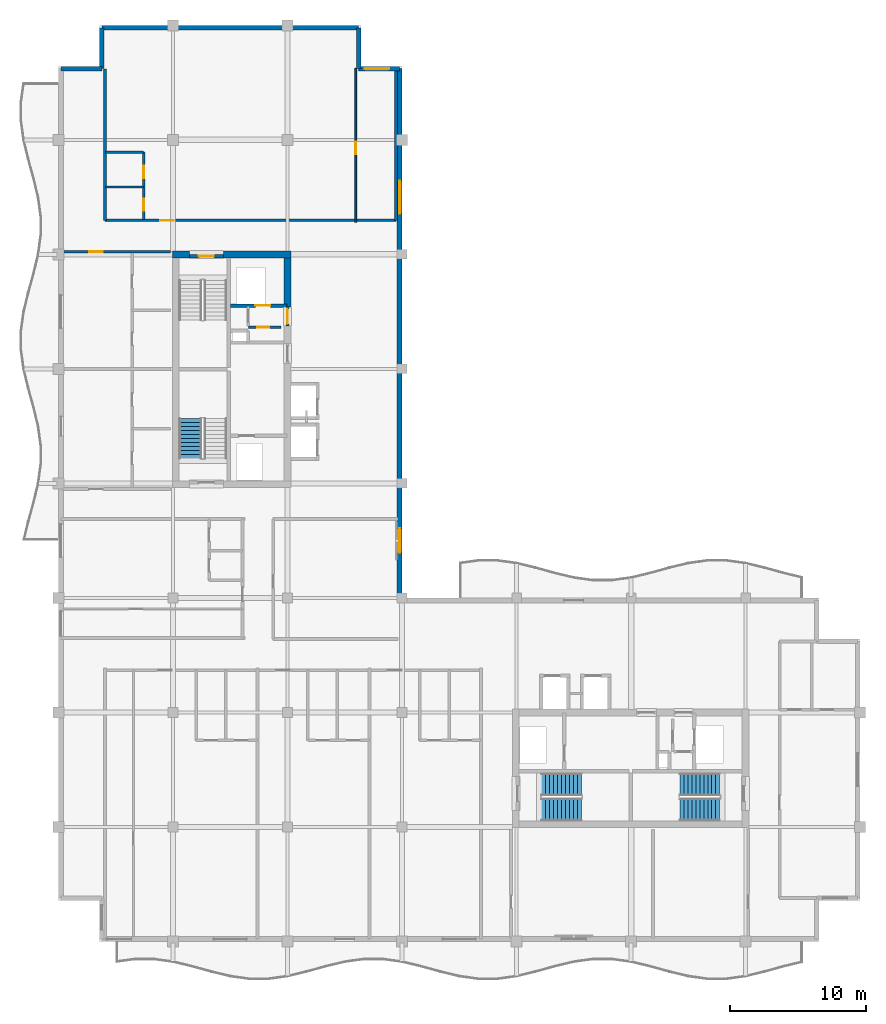
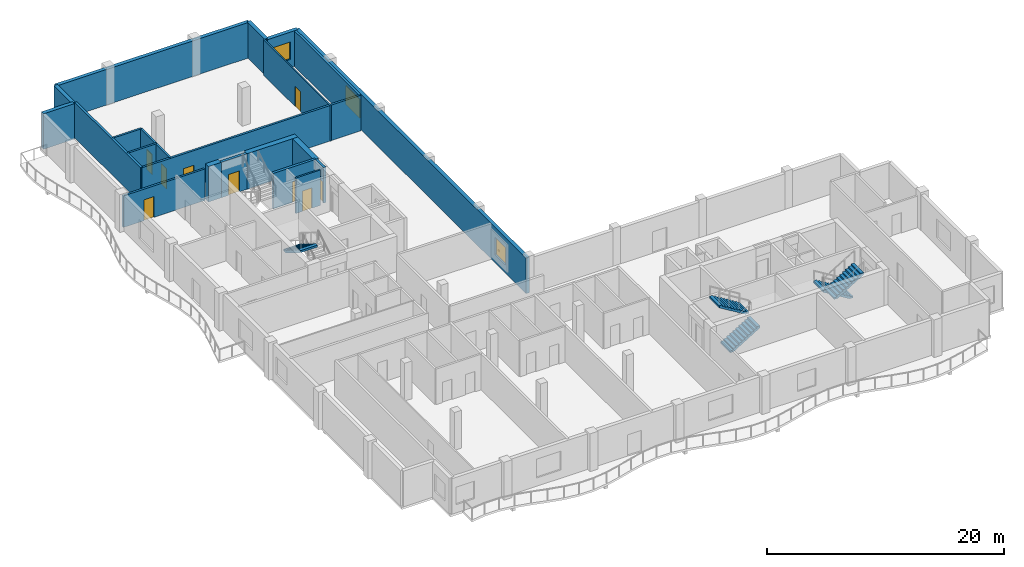
# One storey, part 7 of 11: 21 walls, 9 doors, 5 stair flights, 3 windows, 12 openings, 3 elements without a shape of their own.
"""IFC4 building model written with IfcOpenShell, lengths in metres."""

import ifcopenshell
import ifcopenshell.guid

model = None  # the IFC model being written
_history = None  # IfcOwnerHistory: only IFC2X3 demands one
_inside = {}  # id of a spatial element -> (the spatial element, [elements in it])
_under = {}  # id of a project, library or spatial element -> (it, [spatial elements below it])
_declared = {}  # id of a project -> (the project, [libraries it declares])
_typed = {}  # id of a type object -> (the type object, [elements of that type])
_made_of = {}  # id of a material, layer set ... -> (it, [elements and type objects made of it])


def new_model(schema):
    """Start an empty IFC model of exactly this schema.

    Asked for "IFC4X3", IfcOpenShell would pick the latest addendum, in which some entities
    have other attributes; the version numbers below select the first issue.
    IFC2X3 requires an IfcOwnerHistory on every rooted entity: one is made here for all.
    """
    global model, _history
    if schema == "IFC4X3":
        model = ifcopenshell.file(schema_version=(4, 3, 0, 0))
    else:
        model = ifcopenshell.file(schema=schema)
    _inside.clear()
    _under.clear()
    _declared.clear()
    _typed.clear()
    _made_of.clear()
    _history = None
    if model.schema == "IFC2X3":
        org = make("IfcOrganization", Name="unknown")
        user = make(
            "IfcPersonAndOrganization",
            ThePerson=make("IfcPerson", FamilyName="unknown"),
            TheOrganization=org,
        )
        app = make(
            "IfcApplication",
            ApplicationDeveloper=org,
            Version="unknown",
            ApplicationFullName="unknown",
            ApplicationIdentifier="unknown",
        )
        _history = make(
            "IfcOwnerHistory",
            OwningUser=user,
            OwningApplication=app,
            ChangeAction="ADDED",
            CreationDate=0,
        )
    return model


def make(cls, **values):
    """One entity of the class cls with the attributes given. An attribute that is None is left unset."""
    return model.create_entity(
        cls, **{name: value for name, value in values.items() if value is not None}
    )


def rooted(cls, **values):
    """An entity with a GlobalId (a new one), such as an element, a storey or a relation."""
    return make(cls, GlobalId=ifcopenshell.guid.new(), OwnerHistory=_history, **values)


def si_unit(unit_type, name, prefix=None):
    """IfcSIUnit, for example si_unit("LENGTHUNIT", "METRE", prefix="MILLI")."""
    return make("IfcSIUnit", UnitType=unit_type, Prefix=prefix, Name=name)


def assignment(units):
    """IfcUnitAssignment: the units of a project."""
    return None if units is None else make("IfcUnitAssignment", Units=units)


def point(xyz):
    """IfcCartesianPoint."""
    return None if xyz is None else make("IfcCartesianPoint", Coordinates=xyz)


def direction(xyz):
    """IfcDirection."""
    return None if xyz is None else make("IfcDirection", DirectionRatios=xyz)


def frame(location, z_axis=None, x_axis=None):
    """IfcAxis2Placement3D, a coordinate frame: its origin and axes. An axis left out is left unset."""
    return make(
        "IfcAxis2Placement3D",
        Location=point(location),
        Axis=direction(z_axis),
        RefDirection=direction(x_axis),
    )


def frame_2d(location, x_axis=None):
    """IfcAxis2Placement2D, a coordinate frame in the plane: its origin and x axis."""
    return make(
        "IfcAxis2Placement2D", Location=point(location), RefDirection=direction(x_axis)
    )


def origin():
    """The frame at (0, 0, 0) with its axes left unset."""
    return frame((0.0, 0.0, 0.0))


def place(relative_to, where):
    """IfcLocalPlacement: puts the frame where relative to a parent placement (None: the world)."""
    return make(
        "IfcLocalPlacement", PlacementRelTo=relative_to, RelativePlacement=where
    )


def context(
    kind, dimensions, precision=None, world=None, true_north=None, identifier=None
):
    """IfcGeometricRepresentationContext, for example the 3D "Model" context."""
    return make(
        "IfcGeometricRepresentationContext",
        ContextIdentifier=identifier,
        ContextType=kind,
        CoordinateSpaceDimension=dimensions,
        Precision=precision,
        WorldCoordinateSystem=world,
        TrueNorth=true_north,
    )


def subcontext(parent, identifier, kind, view, scale=None):
    """IfcGeometricRepresentationSubContext, for example "Body" below "Model"."""
    return make(
        "IfcGeometricRepresentationSubContext",
        ContextIdentifier=identifier,
        ContextType=kind,
        ParentContext=parent,
        TargetScale=scale,
        TargetView=view,
    )


def project(units=None, contexts=None):
    """IfcProject with its units and contexts."""
    return rooted(
        "IfcProject",
        Name="project",
        RepresentationContexts=contexts,
        UnitsInContext=assignment(units),
    )


def spatial(cls, under=None, at=None, **own):
    """A site, building, storey or space (cls), placed at a placement, below another one or the project."""
    s = rooted(cls, ObjectPlacement=at, **own)
    if under is not None:
        _under.setdefault(under.id(), (under, []))[1].append(s)
    return s


def polyline(points):
    """IfcPolyline through the points."""
    return make("IfcPolyline", Points=[point(p) for p in points])


def profile(cls, at=None, kind="AREA", **sizes):
    """A parametric profile (cls). Its sizes go by their IFC names, for example OverallWidth=200.0."""
    return make(cls, ProfileType=kind, Position=at, **sizes)


def rectangle(**sizes):
    """IfcRectangleProfileDef."""
    return profile("IfcRectangleProfileDef", **sizes)


def outline(outer, holes=None, kind="AREA"):
    """IfcArbitraryClosedProfileDef: a profile drawn as a closed curve; with holes, ...WithVoids."""
    if holes is None:
        return make("IfcArbitraryClosedProfileDef", ProfileType=kind, OuterCurve=outer)
    return make(
        "IfcArbitraryProfileDefWithVoids",
        ProfileType=kind,
        OuterCurve=outer,
        InnerCurves=holes,
    )


def extrude(swept, where, along, depth):
    """IfcExtrudedAreaSolid: the profile swept, set in the frame where, extruded along a direction by depth."""
    return make(
        "IfcExtrudedAreaSolid",
        SweptArea=swept,
        Position=where,
        ExtrudedDirection=direction(along),
        Depth=depth,
    )


def shape(context_of_items, identifier, shape_type, items):
    """IfcShapeRepresentation: the items that make up one representation, for example the "Body"."""
    return make(
        "IfcShapeRepresentation",
        ContextOfItems=context_of_items,
        RepresentationIdentifier=identifier,
        RepresentationType=shape_type,
        Items=items,
    )


def material(Name=None, Category=None):
    """IfcMaterial."""
    return make("IfcMaterial", Name=Name, Category=Category)


def layer(
    of_material, thickness, ventilated=None, Name=None, Category=None, Priority=None
):
    """IfcMaterialLayer: one layer of a wall or slab, of a material (None: an air gap)."""
    return make(
        "IfcMaterialLayer",
        Material=of_material,
        LayerThickness=thickness,
        IsVentilated=ventilated,
        Name=Name,
        Category=Category,
        Priority=Priority,
    )


def layer_set(layers, Name=None):
    """IfcMaterialLayerSet."""
    return make("IfcMaterialLayerSet", MaterialLayers=layers, LayerSetName=Name)


def made_of(thing, what):
    """Note that an element or type object is made of a material, layer set ...; save() writes the relation."""
    if what is not None:
        _made_of.setdefault(what.id(), (what, []))[1].append(thing)
    return thing


def type_object(cls, material=None, **own):
    """A type object (cls), such as IfcWallType, which elements share."""
    return made_of(rooted(cls, **own), material)


def element(
    cls,
    number,
    at=None,
    inside=None,
    cuts=None,
    type_object=None,
    material=None,
    context=None,
    identifier="Body",
    shape_type=None,
    held_by="IfcProductDefinitionShape",
    body=None,
    shapes=None,
    **own,
):
    """One element of the class cls, such as IfcWall. Its Tag is "e" and its number.

    at: its placement. inside: the storey or other place that contains it. cuts: it is an
    opening in that element (IfcRelVoidsElement). A single representation is given by context,
    identifier, shape_type and body (its items); several are given by shapes. held_by: the class
    of the entity that holds the representations. save() writes the other relations.
    """
    e = rooted(cls, Tag="e%d" % number, ObjectPlacement=at, **own)
    if body is not None:
        shapes = [shape(context, identifier, shape_type, body)]
    if shapes is not None:
        e.Representation = make(held_by, Representations=shapes)
    if inside is not None:
        _inside.setdefault(inside.id(), (inside, []))[1].append(e)
    if cuts is not None:
        rooted(
            "IfcRelVoidsElement", RelatingBuildingElement=cuts, RelatedOpeningElement=e
        )
    if type_object is not None:
        _typed.setdefault(type_object.id(), (type_object, []))[1].append(e)
    return made_of(e, material)


def fill(opening, filler):
    """IfcRelFillsElement: the door or window that sits in an opening."""
    return rooted(
        "IfcRelFillsElement",
        RelatingOpeningElement=opening,
        RelatedBuildingElement=filler,
    )


def aggregate(whole, parts):
    """IfcRelAggregates: a whole, such as a stair, and the parts it consists of."""
    return rooted("IfcRelAggregates", RelatingObject=whole, RelatedObjects=parts)


def save(model, path):
    """Write the relations noted so far, then the file.

    IfcRelAggregates (storeys below a building ...), IfcRelContainedInSpatialStructure (elements
    in a storey), IfcRelDefinesByType, IfcRelAssociatesMaterial and IfcRelDeclares: one each for
    every whole, place, type object, material and project.
    """
    for whole, parts in _under.values():
        aggregate(whole, parts)
    for where, things in _inside.values():
        rooted(
            "IfcRelContainedInSpatialStructure",
            RelatedElements=things,
            RelatingStructure=where,
        )
    for kind, things in _typed.values():
        rooted("IfcRelDefinesByType", RelatedObjects=things, RelatingType=kind)
    for what, things in _made_of.values():
        rooted("IfcRelAssociatesMaterial", RelatedObjects=things, RelatingMaterial=what)
    for by, libraries in _declared.values():
        rooted("IfcRelDeclares", RelatingContext=by, RelatedDefinitions=libraries)
    model.write(path)


model = new_model("IFC4")

# Units and contexts
model_context = context("Model", 3, precision=1e-05, world=origin(), true_north=direction((0.0, 1.0)))
body_context = subcontext(model_context, "Body", "Model", "MODEL_VIEW")
ifc_project = project(units=[si_unit("LENGTHUNIT", "METRE"), si_unit("AREAUNIT", "SQUARE_METRE"), si_unit("VOLUMEUNIT", "CUBIC_METRE"), si_unit("PLANEANGLEUNIT", "RADIAN"), si_unit("MASSUNIT", "GRAM", prefix="KILO")], contexts=[model_context])

# Site, building, storey
site_placement = place(None, origin())
site = spatial("IfcSite", under=ifc_project, at=site_placement, CompositionType="ELEMENT")
building_placement = place(site_placement, origin())
building = spatial("IfcBuilding", under=site, at=building_placement, Name="Koriwani Terraces Tower", CompositionType="ELEMENT")
storey_placement = place(building_placement, frame((0.0, 0.0, 320.300048828125)))
storey = spatial("IfcBuildingStorey", under=building, at=storey_placement, Name="L79", CompositionType="ELEMENT", Elevation=320.300048828125)

# Walls
ifc_material_1 = material(Name="Concrete C50/60", Category="concrete")
ifc_layer_1 = layer(ifc_material_1, 0.5, Name="Concrete C50/60")
ifc_layer_set_1 = layer_set([ifc_layer_1], Name="Concrete C50/60")
wall_type_1 = type_object("IfcWallType", Name="WALL_CORE_RC_500", PredefinedType="SHEAR", material=ifc_layer_set_1)
wall_1_placement = place(storey_placement, frame((16.75, 58.800048828125, 0.0), z_axis=(0.0, 0.0, 1.0), x_axis=(1.0, 0.0, 0.0)))
element("IfcWall", 1, at=wall_1_placement, inside=storey, type_object=wall_type_1, Name="L79 West Split Core Shear Wall N1", PredefinedType="SHEAR", context=body_context, shape_type="SweptSolid", body=[
    extrude(rectangle(XDim=1.25, YDim=0.5, at=frame_2d((0.625, 0.0))), origin(), (0.0, 0.0, 1.0), 3.669921875),
])
wall_2_placement = place(storey_placement, frame((20.5, 58.800048828125, 0.0), z_axis=(0.0, 0.0, 1.0), x_axis=(1.0, 0.0, 0.0)))
element("IfcWall", 2, at=wall_2_placement, inside=storey, type_object=wall_type_1, Name="L79 West Split Core Shear Wall N2", PredefinedType="SHEAR", context=body_context, shape_type="SweptSolid", body=[
    extrude(rectangle(XDim=4.949951171875, YDim=0.5, at=frame_2d((2.47509765625, 0.0))), origin(), (0.0, 0.0, 1.0), 3.669921875),
])
wall_3_placement = place(storey_placement, frame((25.199951171875, 54.949951171875, 0.0), z_axis=(0.0, 0.0, 1.0), x_axis=(0.0, 1.0, 0.0)))
element("IfcWall", 3, at=wall_3_placement, inside=storey, type_object=wall_type_1, Name="L79 West Split Core Shear Wall E3", PredefinedType="SHEAR", context=body_context, shape_type="SweptSolid", body=[
    extrude(rectangle(XDim=3.60009765625, YDim=0.5, at=frame_2d((1.800048828125, 0.0))), origin(), (0.0, 0.0, 1.0), 3.669921875),
])

# Wall, opening, door
ifc_material_2 = material(Name="Autoclaved Cellular Concrete Blockwork", Category="masonry")
ifc_layer_2 = layer(ifc_material_2, 0.199951171875, Name="Autoclaved Cellular Concrete Blockwork")
ifc_layer_set_2 = layer_set([ifc_layer_2], Name="Autoclaved Cellular Concrete Blockwork")
wall_type_2 = type_object("IfcWallType", Name="WALL_CORRIDOR_200", PredefinedType="PARTITIONING", material=ifc_layer_set_2)
wall_4_placement = place(storey_placement, frame((8.64990234375, 59.0, 0.0), z_axis=(0.0, 0.0, 1.0), x_axis=(1.0, 0.0, 0.0)))
wall_4 = element("IfcWall", 4, at=wall_4_placement, inside=storey, type_object=wall_type_2, Name="L79 Interior Wall WRZ4-WN-L79", PredefinedType="PARTITIONING", context=body_context, shape_type="SweptSolid", body=[
    extrude(rectangle(XDim=7.9501953125, YDim=0.199951171875, at=frame_2d((3.97509765625, 0.0))), origin(), (0.0, 0.0, 1.0), 3.2529296875),
])
opening_1_placement = place(wall_4_placement, frame((2.0, 0.0, 0.0)))
opening_1 = element("IfcOpeningElement", 5, at=opening_1_placement, cuts=wall_4, Name="Opening D-05", PredefinedType="OPENING", context=body_context, shape_type="SweptSolid", body=[
    extrude(rectangle(XDim=1.0, YDim=2.14990234375, at=frame_2d((0.5, 1.074951171875))), frame((0.0, 0.10986328125, 0.0), z_axis=(0.0, -1.0, 0.0), x_axis=(1.0, 0.0, 0.0)), (0.0, 0.0, 1.0), 0.219970703125),
])
ifc_material_3 = material(Name="Architectural Oak Fire Door", Category="wood")
door_type_1 = type_object("IfcDoorType", Name="DOOR_SUITE_ENTRY_1000X2150", OperationType="NOTDEFINED", PredefinedType="DOOR", material=ifc_material_3)
door_1_placement = place(opening_1_placement, origin())
door_1 = element("IfcDoor", 6, at=door_1_placement, inside=storey, type_object=door_type_1, Name="Apartment 79RW2 Entrance Door", OperationType="SINGLE_SWING_LEFT", OverallHeight=2.14990234375, OverallWidth=1.0, PredefinedType="DOOR", context=body_context, shape_type="SweptSolid", body=[
    extrude(rectangle(XDim=1.0, YDim=2.14990234375, at=frame_2d((0.5, 1.074951171875))), frame((0.0, 0.02490234375, 0.0), z_axis=(0.0, -1.0, 0.0), x_axis=(1.0, 0.0, 0.0)), (0.0, 0.0, 1.0), 0.050048828125),
])
fill(opening_1, door_1)

wall_5_placement = place(storey_placement, frame((11.800048828125, 61.300048828125, 0.0), z_axis=(0.0, 0.0, 1.0), x_axis=(1.0, 0.0, 0.0)))
wall_5 = element("IfcWall", 7, at=wall_5_placement, inside=storey, type_object=wall_type_2, Name="L79 Interior Wall WGB-L79-NT-S", PredefinedType="PARTITIONING", context=body_context, shape_type="SweptSolid", body=[
    extrude(rectangle(XDim=21.349853515625, YDim=0.199951171875, at=frame_2d((10.6748046875, 0.0))), origin(), (0.0, 0.0, 1.0), 3.669921875),
])
opening_2_placement = place(wall_5_placement, frame((4.050048828125, 0.0, 0.0)))
opening_2 = element("IfcOpeningElement", 8, at=opening_2_placement, cuts=wall_5, Name="Opening D-05", PredefinedType="OPENING", context=body_context, shape_type="SweptSolid", body=[
    extrude(rectangle(XDim=1.0, YDim=2.14990234375, at=frame_2d((0.5, 1.074951171875))), frame((0.0, 0.10986328125, 0.0), z_axis=(0.0, -1.0, 0.0), x_axis=(1.0, 0.0, 0.0)), (0.0, 0.0, 1.0), 0.219970703125),
])
door_2_placement = place(opening_2_placement, origin())
door_2 = element("IfcDoor", 9, at=door_2_placement, inside=storey, type_object=door_type_1, Name="Apartment 79NT Entrance Door", OperationType="SINGLE_SWING_RIGHT", OverallHeight=2.14990234375, OverallWidth=1.0, PredefinedType="DOOR", context=body_context, shape_type="SweptSolid", body=[
    extrude(rectangle(XDim=1.0, YDim=2.14990234375, at=frame_2d((0.5, 1.074951171875))), frame((0.0, 0.02490234375, 0.0), z_axis=(0.0, -1.0, 0.0), x_axis=(1.0, 0.0, 0.0)), (0.0, 0.0, 1.0), 0.050048828125),
])
fill(opening_2, door_2)

# Walls
ifc_layer_3 = layer(ifc_material_2, 0.219970703125, Name="Autoclaved Cellular Concrete Blockwork")
ifc_layer_set_3 = layer_set([ifc_layer_3], Name="Autoclaved Cellular Concrete Blockwork")
wall_type_3 = type_object("IfcWallType", Name="WALL_DEMISING_220", PredefinedType="PARTITIONING", material=ifc_layer_set_3)
for number, where, z_axis, x_axis, name in (
    (10, (33.14990234375, 61.300048828125, 0.0), (0.0, 0.0, 1.0), (0.0, 1.0, 0.0), "L79 Interior Wall WGB-L79-NT-E"),
    (11, (11.800048828125, 61.300048828125, 0.0), (0.0, 0.0, 1.0), (0.0, 1.0, 0.0), "L79 Interior Wall WGB-L79-NT-W"),
):
    element("IfcWall", number, at=place(storey_placement, frame(where, z_axis=z_axis, x_axis=x_axis)), inside=storey, type_object=wall_type_3, Name=name, PredefinedType="PARTITIONING", context=body_context, shape_type="SweptSolid", body=[
        extrude(rectangle(XDim=11.099853515625, YDim=0.219970703125, at=frame_2d((5.5498046875, 0.0))), origin(), (0.0, 0.0, 1.0), 3.669921875),
    ])
ifc_layer_4 = layer(ifc_material_1, 0.35009765625, Name="Concrete C50/60")
ifc_layer_set_4 = layer_set([ifc_layer_4], Name="Concrete C50/60")
wall_type_4 = type_object("IfcWallType", Name="WALL_EXT_BRUTALIST_350", PredefinedType="STANDARD", material=ifc_layer_set_4)
for number, where, z_axis, x_axis, name in (
    (12, (8.574951171875, 72.425048828125, 0.0), (0.0, 0.0, 1.0), (1.0, 0.0, 0.0), "L79 Fair-Faced Brutalist Exterior Wall (N3)"),
    (13, (11.574951171875, 72.425048828125, 0.0), (0.0, 0.0, 1.0), (0.0, 1.0, 0.0), "L79 Fair-Faced Brutalist Exterior Wall (N4)"),
):
    element("IfcWall", number, at=place(storey_placement, frame(where, z_axis=z_axis, x_axis=x_axis)), inside=storey, type_object=wall_type_4, Name=name, PredefinedType="STANDARD", context=body_context, shape_type="SweptSolid", body=[
        extrude(rectangle(XDim=3.0, YDim=0.35009765625, at=frame_2d((1.5, 0.0))), origin(), (0.0, 0.0, 1.0), 3.669921875),
    ])
wall_6_placement = place(storey_placement, frame((11.574951171875, 75.425048828125, 0.0), z_axis=(0.0, 0.0, 1.0), x_axis=(1.0, 0.0, 0.0)))
element("IfcWall", 14, at=wall_6_placement, inside=storey, type_object=wall_type_4, Name="L79 Fair-Faced Brutalist Exterior Wall (N_TIP)", PredefinedType="STANDARD", context=body_context, shape_type="SweptSolid", body=[
    extrude(rectangle(XDim=18.85009765625, YDim=0.35009765625, at=frame_2d((9.425048828125, 0.0))), origin(), (0.0, 0.0, 1.0), 3.669921875),
])
wall_7_placement = place(storey_placement, frame((30.425048828125, 75.425048828125, 0.0), z_axis=(0.0, 0.0, 1.0), x_axis=(0.0, -1.0, 0.0)))
element("IfcWall", 15, at=wall_7_placement, inside=storey, type_object=wall_type_4, Name="L79 Fair-Faced Brutalist Exterior Wall (N6)", PredefinedType="STANDARD", context=body_context, shape_type="SweptSolid", body=[
    extrude(rectangle(XDim=3.0, YDim=0.35009765625, at=frame_2d((1.5, 0.0))), origin(), (0.0, 0.0, 1.0), 3.669921875),
])

# Wall, opening, window
wall_8_placement = place(storey_placement, frame((30.425048828125, 72.425048828125, 0.0), z_axis=(0.0, 0.0, 1.0), x_axis=(1.0, 0.0, 0.0)))
wall_8 = element("IfcWall", 16, at=wall_8_placement, inside=storey, type_object=wall_type_4, Name="L79 Fair-Faced Brutalist Exterior Wall (N7)", PredefinedType="STANDARD", context=body_context, shape_type="SweptSolid", body=[
    extrude(rectangle(XDim=3.0, YDim=0.35009765625, at=frame_2d((1.5, 0.0))), origin(), (0.0, 0.0, 1.0), 3.669921875),
])
opening_3_placement = place(wall_8_placement, frame((0.4375, 0.0, 0.85009765625)))
opening_3 = element("IfcOpeningElement", 17, at=opening_3_placement, cuts=wall_8, Name="Opening W-04", PredefinedType="OPENING", context=body_context, shape_type="SweptSolid", body=[
    extrude(rectangle(XDim=1.800048828125, YDim=1.800048828125, at=frame_2d((0.89990234375, 0.89990234375))), frame((0.0, 0.18505859375, 0.0), z_axis=(0.0, -1.0, 0.0), x_axis=(1.0, 0.0, 0.0)), (0.0, 0.0, 1.0), 0.3701171875),
])
ifc_material_4 = material(Name="Tempered Laminated Low-E Glass", Category="glass")
window_type_1 = type_object("IfcWindowType", Name="WIN_RES_BED_1800X1800", PartitioningType="DOUBLE_PANEL_VERTICAL", PredefinedType="WINDOW", material=ifc_material_4)
window_1_placement = place(opening_3_placement, origin())
window_1 = element("IfcWindow", 18, at=window_1_placement, inside=storey, type_object=window_type_1, Name="L79 Exterior Window (N7-R48)", OverallHeight=1.800048828125, OverallWidth=1.800048828125, PartitioningType="SINGLE_PANEL", PredefinedType="WINDOW", context=body_context, shape_type="SweptSolid", body=[
    extrude(rectangle(XDim=1.800048828125, YDim=1.800048828125, at=frame_2d((0.89990234375, 0.89990234375))), frame((0.0, 0.030029296875, 0.0), z_axis=(0.0, -1.0, 0.0), x_axis=(1.0, 0.0, 0.0)), (0.0, 0.0, 1.0), 0.06005859375),
])
fill(opening_3, window_1)

# Wall, openings, windows
wall_9_placement = place(storey_placement, frame((33.425048828125, 72.425048828125, 0.0), z_axis=(0.0, 0.0, 1.0), x_axis=(0.0, -1.0, 0.0)))
wall_9 = element("IfcWall", 19, at=wall_9_placement, inside=storey, type_object=wall_type_4, Name="L79 Fair-Faced Brutalist Exterior Wall (NW_IN)", PredefinedType="STANDARD", context=body_context, shape_type="SweptSolid", body=[
    extrude(rectangle(XDim=39.0, YDim=0.35009765625, at=frame_2d((19.5, 0.0))), origin(), (0.0, 0.0, 1.0), 3.669921875),
])
opening_4_placement = place(wall_9_placement, frame((33.72509765625, 0.0, 0.85009765625)))
opening_4 = element("IfcOpeningElement", 20, at=opening_4_placement, cuts=wall_9, Name="Opening W-04", PredefinedType="OPENING", context=body_context, shape_type="SweptSolid", body=[
    extrude(rectangle(XDim=1.800048828125, YDim=1.800048828125, at=frame_2d((0.89990234375, 0.89990234375))), frame((0.0, 0.18505859375, 0.0), z_axis=(0.0, -1.0, 0.0), x_axis=(1.0, 0.0, 0.0)), (0.0, 0.0, 1.0), 0.3701171875),
])
opening_5_placement = place(wall_9_placement, frame((8.22509765625, 0.0, 0.85009765625)))
opening_5 = element("IfcOpeningElement", 21, at=opening_5_placement, cuts=wall_9, Name="Opening W-03", PredefinedType="OPENING", context=body_context, shape_type="SweptSolid", body=[
    extrude(rectangle(XDim=2.39990234375, YDim=1.949951171875, at=frame_2d((1.199951171875, 0.97509765625))), frame((0.0, 0.18505859375, 0.0), z_axis=(0.0, -1.0, 0.0), x_axis=(1.0, 0.0, 0.0)), (0.0, 0.0, 1.0), 0.3701171875),
])
window_2_placement = place(opening_4_placement, origin())
window_2 = element("IfcWindow", 22, at=window_2_placement, inside=storey, type_object=window_type_1, Name="L79 Exterior Window (NW_IN-2)", OverallHeight=1.800048828125, OverallWidth=1.800048828125, PartitioningType="SINGLE_PANEL", PredefinedType="WINDOW", context=body_context, shape_type="SweptSolid", body=[
    extrude(rectangle(XDim=1.800048828125, YDim=1.800048828125, at=frame_2d((0.89990234375, 0.89990234375))), frame((0.0, 0.030029296875, 0.0), z_axis=(0.0, -1.0, 0.0), x_axis=(1.0, 0.0, 0.0)), (0.0, 0.0, 1.0), 0.06005859375),
])
fill(opening_4, window_2)
window_type_2 = type_object("IfcWindowType", Name="WIN_RES_LIVING_2400X1950", PartitioningType="DOUBLE_PANEL_VERTICAL", PredefinedType="WINDOW", material=ifc_material_4)
window_3_placement = place(opening_5_placement, origin())
window_3 = element("IfcWindow", 23, at=window_3_placement, inside=storey, type_object=window_type_2, Name="L79 Exterior Window (NW_IN-11)", OverallHeight=1.949951171875, OverallWidth=2.39990234375, PartitioningType="SINGLE_PANEL", PredefinedType="WINDOW", context=body_context, shape_type="SweptSolid", body=[
    extrude(rectangle(XDim=2.39990234375, YDim=1.949951171875, at=frame_2d((1.199951171875, 0.97509765625))), frame((0.0, 0.030029296875, 0.0), z_axis=(0.0, -1.0, 0.0), x_axis=(1.0, 0.0, 0.0)), (0.0, 0.0, 1.0), 0.06005859375),
])
fill(opening_5, window_3)

# Wall, opening, door
ifc_material_5 = material(Name="Fire-Rated Acoustic Gypsum Partition", Category="masonry")
ifc_layer_5 = layer(ifc_material_5, 0.125, Name="Fire-Rated Acoustic Gypsum Partition")
ifc_layer_set_5 = layer_set([ifc_layer_5], Name="Fire-Rated Acoustic Gypsum Partition")
wall_type_5 = type_object("IfcWallType", Name="WALL_INT_125", PredefinedType="PARTITIONING", material=ifc_layer_set_5)
wall_10_placement = place(storey_placement, frame((30.199951171875, 61.14990234375, 0.0), z_axis=(0.0, 0.0, 1.0), x_axis=(0.0, 1.0, 0.0)))
wall_10 = element("IfcWall", 24, at=wall_10_placement, inside=storey, type_object=wall_type_5, Name="L79 Interior Wall WGB-L79-NT-BD", PredefinedType="PARTITIONING", context=body_context, shape_type="SweptSolid", body=[
    extrude(rectangle(XDim=11.300048828125, YDim=0.125, at=frame_2d((5.64990234375, 0.0))), origin(), (0.0, 0.0, 1.0), 3.669921875),
])
opening_6_placement = place(wall_10_placement, frame((4.9951171875, 0.0, 0.0)))
opening_6 = element("IfcOpeningElement", 25, at=opening_6_placement, cuts=wall_10, Name="Opening D-06", PredefinedType="OPENING", context=body_context, shape_type="SweptSolid", body=[
    extrude(rectangle(XDim=0.919921875, YDim=2.10009765625, at=frame_2d((0.4599609375, 1.050048828125))), frame((0.0, 0.072509765625, 0.0), z_axis=(0.0, -1.0, 0.0), x_axis=(1.0, 0.0, 0.0)), (0.0, 0.0, 1.0), 0.14501953125),
])
door_type_2 = type_object("IfcDoorType", Name="DOOR_ROOM_INT_920X2100", OperationType="NOTDEFINED", PredefinedType="DOOR", material=ifc_material_3)
door_3_placement = place(opening_6_placement, origin())
door_3 = element("IfcDoor", 26, at=door_3_placement, inside=storey, type_object=door_type_2, Name="Apartment 79NT Master Suite Door", OperationType="SINGLE_SWING_LEFT", OverallHeight=2.10009765625, OverallWidth=0.919921875, PredefinedType="DOOR", context=body_context, shape_type="SweptSolid", body=[
    extrude(rectangle(XDim=0.919921875, YDim=2.10009765625, at=frame_2d((0.4599609375, 1.050048828125))), frame((0.0, 0.02490234375, 0.0), z_axis=(0.0, -1.0, 0.0), x_axis=(1.0, 0.0, 0.0)), (0.0, 0.0, 1.0), 0.050048828125),
])
fill(opening_6, door_3)

# Wall, openings, doors
ifc_layer_6 = layer(ifc_material_5, 0.179931640625, Name="Fire-Rated Acoustic Gypsum Partition")
ifc_layer_set_6 = layer_set([ifc_layer_6], Name="Fire-Rated Acoustic Gypsum Partition")
wall_type_6 = type_object("IfcWallType", Name="WALL_PLUMBING_180", PredefinedType="PLUMBINGWALL", material=ifc_layer_set_6)
wall_11_placement = place(storey_placement, frame((14.64990234375, 61.35009765625, 0.0), z_axis=(0.0, 0.0, 1.0), x_axis=(0.0, 1.0, 0.0)))
wall_11 = element("IfcWall", 27, at=wall_11_placement, inside=storey, type_object=wall_type_6, Name="L79 Interior Wall WGB-L79-NT-SVB", PredefinedType="PLUMBINGWALL", context=body_context, shape_type="SweptSolid", body=[
    extrude(rectangle(XDim=4.949951171875, YDim=0.179931640625, at=frame_2d((2.47509765625, 0.0))), origin(), (0.0, 0.0, 1.0), 3.669921875),
])
opening_7_placement = place(wall_11_placement, frame((0.64990234375, 0.0, 0.0)))
opening_7 = element("IfcOpeningElement", 28, at=opening_7_placement, cuts=wall_11, Name="Opening D-07", PredefinedType="OPENING", context=body_context, shape_type="SweptSolid", body=[
    extrude(rectangle(XDim=0.89990234375, YDim=2.10009765625, at=frame_2d((0.449951171875, 1.050048828125))), frame((0.0, 0.10009765625, 0.0), z_axis=(0.0, -1.0, 0.0), x_axis=(1.0, 0.0, 0.0)), (0.0, 0.0, 1.0), 0.199951171875),
])
opening_8_placement = place(wall_11_placement, frame((3.050048828125, 0.0, 0.0)))
opening_8 = element("IfcOpeningElement", 29, at=opening_8_placement, cuts=wall_11, Name="Opening D-06", PredefinedType="OPENING", context=body_context, shape_type="SweptSolid", body=[
    extrude(rectangle(XDim=0.919921875, YDim=2.10009765625, at=frame_2d((0.4599609375, 1.050048828125))), frame((0.0, 0.10009765625, 0.0), z_axis=(0.0, -1.0, 0.0), x_axis=(1.0, 0.0, 0.0)), (0.0, 0.0, 1.0), 0.199951171875),
])
door_type_3 = type_object("IfcDoorType", Name="DOOR_BATH_INT_900X2100", OperationType="NOTDEFINED", PredefinedType="DOOR", material=ifc_material_3)
door_4_placement = place(opening_7_placement, origin())
door_4 = element("IfcDoor", 30, at=door_4_placement, inside=storey, type_object=door_type_3, Name="Apartment 79NT Bathroom Door", OperationType="SINGLE_SWING_LEFT", OverallHeight=2.10009765625, OverallWidth=0.89990234375, PredefinedType="DOOR", context=body_context, shape_type="SweptSolid", body=[
    extrude(rectangle(XDim=0.89990234375, YDim=2.10009765625, at=frame_2d((0.449951171875, 1.050048828125))), frame((0.0, 0.02490234375, 0.0), z_axis=(0.0, -1.0, 0.0), x_axis=(1.0, 0.0, 0.0)), (0.0, 0.0, 1.0), 0.050048828125),
])
fill(opening_7, door_4)
door_5_placement = place(opening_8_placement, origin())
door_5 = element("IfcDoor", 31, at=door_5_placement, inside=storey, type_object=door_type_2, Name="Apartment 79NT Kitchen Door", OperationType="SINGLE_SWING_RIGHT", OverallHeight=2.10009765625, OverallWidth=0.919921875, PredefinedType="DOOR", context=body_context, shape_type="SweptSolid", body=[
    extrude(rectangle(XDim=0.919921875, YDim=2.10009765625, at=frame_2d((0.4599609375, 1.050048828125))), frame((0.0, 0.02490234375, 0.0), z_axis=(0.0, -1.0, 0.0), x_axis=(1.0, 0.0, 0.0)), (0.0, 0.0, 1.0), 0.050048828125),
])
fill(opening_8, door_5)

# Walls
for number, where, z_axis, x_axis, name in (
    (32, (11.85009765625, 63.75, 0.0), (0.0, 0.0, 1.0), (1.0, 0.0, 0.0), "L79 Interior Wall WGB-L79-NT-SVM"),
    (33, (11.85009765625, 66.300048828125, 0.0), (0.0, 0.0, 1.0), (1.0, 0.0, 0.0), "L79 Interior Wall WGB-L79-NT-SV2"),
):
    element("IfcWall", number, at=place(storey_placement, frame(where, z_axis=z_axis, x_axis=x_axis)), inside=storey, type_object=wall_type_6, Name=name, PredefinedType="PLUMBINGWALL", context=body_context, shape_type="SweptSolid", body=[
        extrude(rectangle(XDim=2.7998046875, YDim=0.179931640625, at=frame_2d((1.39990234375, 0.0))), origin(), (0.0, 0.0, 1.0), 3.669921875),
    ])

# Wall, opening, door
ifc_material_6 = material(Name="Concrete C40/50", Category="concrete")
ifc_layer_7 = layer(ifc_material_6, 0.25, Name="Concrete C40/50")
ifc_layer_set_7 = layer_set([ifc_layer_7], Name="Concrete C40/50")
wall_type_7 = type_object("IfcWallType", Name="WALL_SHAFT_RATED_250", PredefinedType="SOLIDWALL", material=ifc_layer_set_7)
wall_12_placement = place(storey_placement, frame((18.0, 58.675048828125, 0.0), z_axis=(0.0, 0.0, 1.0), x_axis=(1.0, 0.0, 0.0)))
wall_12 = element("IfcWall", 34, at=wall_12_placement, inside=storey, type_object=wall_type_7, Name="L79 Interior Wall WIN-CW-L79-STN", PredefinedType="SOLIDWALL", context=body_context, shape_type="SweptSolid", body=[
    extrude(rectangle(XDim=2.5, YDim=0.25, at=frame_2d((1.25, 0.0))), origin(), (0.0, 0.0, 1.0), 3.669921875),
])
opening_9_placement = place(wall_12_placement, frame((0.699951171875, 0.0, 0.0)))
opening_9 = element("IfcOpeningElement", 35, at=opening_9_placement, cuts=wall_12, Name="Opening D-03", PredefinedType="OPENING", context=body_context, shape_type="SweptSolid", body=[
    extrude(rectangle(XDim=1.10009765625, YDim=2.14990234375, at=frame_2d((0.550048828125, 1.074951171875))), frame((0.0, 0.135009765625, 0.0), z_axis=(0.0, -1.0, 0.0), x_axis=(1.0, 0.0, 0.0)), (0.0, 0.0, 1.0), 0.27001953125),
])
ifc_material_7 = material(Name="Steel ASTM A572 Grade 50", Category="steel")
door_type_4 = type_object("IfcDoorType", Name="DOOR_STAIR_FIRE_1100X2150", OperationType="NOTDEFINED", PredefinedType="DOOR", material=ifc_material_7)
door_6_placement = place(opening_9_placement, origin())
door_6 = element("IfcDoor", 36, at=door_6_placement, inside=storey, type_object=door_type_4, Name="L79 Exit Stair ST-W2 Door", OperationType="SINGLE_SWING_RIGHT", OverallHeight=2.14990234375, OverallWidth=1.10009765625, PredefinedType="DOOR", context=body_context, shape_type="SweptSolid", body=[
    extrude(rectangle(XDim=1.10009765625, YDim=2.14990234375, at=frame_2d((0.550048828125, 1.074951171875))), frame((0.0, 0.02490234375, 0.0), z_axis=(0.0, -1.0, 0.0), x_axis=(1.0, 0.0, 0.0)), (0.0, 0.0, 1.0), 0.050048828125),
])
fill(opening_9, door_6)

wall_13_placement = place(storey_placement, frame((21.0, 55.050048828125, 0.0), z_axis=(0.0, 0.0, 1.0), x_axis=(1.0, 0.0, 0.0)))
wall_13 = element("IfcWall", 37, at=wall_13_placement, inside=storey, type_object=wall_type_7, Name="L79 Interior Wall WIN-CW-L79-SE", PredefinedType="SOLIDWALL", context=body_context, shape_type="SweptSolid", body=[
    extrude(rectangle(XDim=4.14990234375, YDim=0.25, at=frame_2d((2.074951171875, 0.0))), origin(), (0.0, 0.0, 1.0), 3.669921875),
])
opening_10_placement = place(wall_13_placement, frame((1.85009765625, 0.0, 0.0)))
opening_10 = element("IfcOpeningElement", 38, at=opening_10_placement, cuts=wall_13, Name="Opening LD-01", PredefinedType="OPENING", context=body_context, shape_type="SweptSolid", body=[
    extrude(rectangle(XDim=1.10009765625, YDim=2.14990234375, at=frame_2d((0.550048828125, 1.074951171875))), frame((0.0, 0.135009765625, 0.0), z_axis=(0.0, -1.0, 0.0), x_axis=(1.0, 0.0, 0.0)), (0.0, 0.0, 1.0), 0.27001953125),
])
door_type_5 = type_object("IfcDoorType", Name="DOOR_LIFT_LANDING_1100X2200", OperationType="NOTDEFINED", PredefinedType="DOOR", material=ifc_material_7)
door_7_placement = place(opening_10_placement, origin())
door_7 = element("IfcDoor", 39, at=door_7_placement, inside=storey, type_object=door_type_5, Name="L79 Goods Lift SE-01 Landing Door", OperationType="SLIDING_TO_LEFT", OverallHeight=2.14990234375, OverallWidth=1.10009765625, PredefinedType="DOOR", context=body_context, shape_type="SweptSolid", body=[
    extrude(rectangle(XDim=1.10009765625, YDim=2.14990234375, at=frame_2d((0.550048828125, 1.074951171875))), frame((0.0, 0.02490234375, 0.0), z_axis=(0.0, -1.0, 0.0), x_axis=(1.0, 0.0, 0.0)), (0.0, 0.0, 1.0), 0.050048828125),
])
fill(opening_10, door_7)

wall_14_placement = place(storey_placement, frame((25.199951171875, 53.550048828125, 0.0), z_axis=(0.0, 0.0, 1.0), x_axis=(0.0, 1.0, 0.0)))
wall_14 = element("IfcWall", 40, at=wall_14_placement, inside=storey, type_object=wall_type_7, Name="L79 Interior Wall WIN-CW-L79-EP2", PredefinedType="SOLIDWALL", context=body_context, shape_type="SweptSolid", body=[
    extrude(rectangle(XDim=1.39990234375, YDim=0.25, at=frame_2d((0.699951171875, 0.0))), origin(), (0.0, 0.0, 1.0), 3.669921875),
])
opening_11_placement = place(wall_14_placement, frame((0.14990234375, 0.0, 0.0)))
opening_11 = element("IfcOpeningElement", 41, at=opening_11_placement, cuts=wall_14, Name="Opening D-03", PredefinedType="OPENING", context=body_context, shape_type="SweptSolid", body=[
    extrude(rectangle(XDim=1.10009765625, YDim=2.14990234375, at=frame_2d((0.550048828125, 1.074951171875))), frame((0.0, 0.135009765625, 0.0), z_axis=(0.0, -1.0, 0.0), x_axis=(1.0, 0.0, 0.0)), (0.0, 0.0, 1.0), 0.27001953125),
])
door_8_placement = place(opening_11_placement, origin())
door_8 = element("IfcDoor", 42, at=door_8_placement, inside=storey, type_object=door_type_4, Name="L79 West Goods Lift Lobby Door", OperationType="SINGLE_SWING_RIGHT", OverallHeight=2.14990234375, OverallWidth=1.10009765625, PredefinedType="DOOR", context=body_context, shape_type="SweptSolid", body=[
    extrude(rectangle(XDim=1.10009765625, YDim=2.14990234375, at=frame_2d((0.550048828125, 1.074951171875))), frame((0.0, 0.02490234375, 0.0), z_axis=(0.0, -1.0, 0.0), x_axis=(1.0, 0.0, 0.0)), (0.0, 0.0, 1.0), 0.050048828125),
])
fill(opening_11, door_8)

ifc_layer_8 = layer(ifc_material_5, 0.159912109375, Name="Fire-Rated Acoustic Gypsum Partition")
ifc_layer_set_8 = layer_set([ifc_layer_8], Name="Fire-Rated Acoustic Gypsum Partition")
wall_type_8 = type_object("IfcWallType", Name="WALL_SUITE_160", PredefinedType="PARTITIONING", material=ifc_layer_set_8)
wall_15_placement = place(storey_placement, frame((22.320068359375, 53.4599609375, 0.0), z_axis=(0.0, 0.0, 1.0), x_axis=(1.0, 0.0, 0.0)))
wall_15 = element("IfcWall", 43, at=wall_15_placement, inside=storey, type_object=wall_type_8, Name="L79 Interior Wall WIN-CW-L79-SV1B", PredefinedType="PARTITIONING", context=body_context, shape_type="SweptSolid", body=[
    extrude(rectangle(XDim=2.39990234375, YDim=0.159912109375, at=frame_2d((1.199951171875, 0.0))), origin(), (0.0, 0.0, 1.0), 3.669921875),
])
opening_12_placement = place(wall_15_placement, frame((0.64990234375, 0.0, 0.0)))
opening_12 = element("IfcOpeningElement", 44, at=opening_12_placement, cuts=wall_15, Name="Opening D-07", PredefinedType="OPENING", context=body_context, shape_type="SweptSolid", body=[
    extrude(rectangle(XDim=0.89990234375, YDim=2.10009765625, at=frame_2d((0.449951171875, 1.050048828125))), frame((0.0, 0.08984375, 0.0), z_axis=(0.0, -1.0, 0.0), x_axis=(1.0, 0.0, 0.0)), (0.0, 0.0, 1.0), 0.179931640625),
])
door_9_placement = place(opening_12_placement, origin())
door_9 = element("IfcDoor", 45, at=door_9_placement, inside=storey, type_object=door_type_3, Name="L79 West Cleaners Closet Door", OperationType="SINGLE_SWING_RIGHT", OverallHeight=2.10009765625, OverallWidth=0.89990234375, PredefinedType="DOOR", context=body_context, shape_type="SweptSolid", body=[
    extrude(rectangle(XDim=0.89990234375, YDim=2.10009765625, at=frame_2d((0.449951171875, 1.050048828125))), frame((0.0, 0.02490234375, 0.0), z_axis=(0.0, -1.0, 0.0), x_axis=(1.0, 0.0, 0.0)), (0.0, 0.0, 1.0), 0.050048828125),
])
fill(opening_12, door_9)

# Stair, stair flight
stair_type = type_object("IfcStairType", Name="STAIR_CORE_DOGLEG_1650", PredefinedType="TWO_STRAIGHT_RUN_STAIR", material=ifc_material_6)
stair_1_placement = place(storey_placement, origin())
stair_1 = element("IfcStair", 46, at=stair_1_placement, inside=storey, type_object=stair_type, Name="L79 West Core Exit Stair 1", PredefinedType="HALF_TURN_STAIR")
stair_flight_type = type_object("IfcStairFlightType", Name="STAIR_FLIGHT_RC_1650", PredefinedType="STRAIGHT", material=ifc_material_6)
stair_flight_1_placement = place(storey_placement, frame((18.074951171875, 46.75, 1.949951171875), z_axis=(0.0, 0.0, 1.0), x_axis=(0.0, -1.0, 0.0)))
stair_flight_1 = element("IfcStairFlight", 47, at=stair_flight_1_placement, type_object=stair_flight_type, Name="ST-W1 flight 2", NumberOfRisers=11, NumberOfTreads=10, PredefinedType="STRAIGHT", RiserHeight=0.177272727, TreadLength=0.29, context=body_context, shape_type="SweptSolid", body=[
    extrude(outline(polyline([(0.0, 0.0), (0.0, 0.17724609375), (0.2900390625, 0.17724609375), (0.2900390625, 0.3544921875), (0.580078125, 0.3544921875), (0.580078125, 0.53173828125), (0.8701171875, 0.53173828125), (0.8701171875, 0.708984375), (1.159912109375, 0.708984375), (1.159912109375, 0.886474609375), (1.449951171875, 0.886474609375), (1.449951171875, 1.063720703125), (1.739990234375, 1.063720703125), (1.739990234375, 1.240966796875), (2.030029296875, 1.240966796875), (2.030029296875, 1.418212890625), (2.320068359375, 1.418212890625), (2.320068359375, 1.595458984375), (2.610107421875, 1.595458984375), (2.610107421875, 1.772705078125), (2.89990234375, 1.772705078125), (2.89990234375, 1.949951171875), (2.89990234375, 1.561767578125), (0.344970703125, 0.0), (0.0, 0.0)])), frame((0.0, 0.824951171875, 0.0), z_axis=(0.0, -1.0, 0.0), x_axis=(1.0, 0.0, 0.0)), (0.0, 0.0, 1.0), 1.64990234375),
])
aggregate(stair_1, [stair_flight_1])

# Stair, stair flights
stair_2_placement = place(storey_placement, origin())
stair_2 = element("IfcStair", 48, at=stair_2_placement, inside=storey, type_object=stair_type, Name="L79 East Core Exit Stair 1", PredefinedType="HALF_TURN_STAIR")
stair_flight_2_placement = place(storey_placement, frame((43.85009765625, 18.074951171875, 0.0), z_axis=(0.0, 0.0, 1.0), x_axis=(1.0, 0.0, 0.0)))
stair_flight_2 = element("IfcStairFlight", 49, at=stair_flight_2_placement, type_object=stair_flight_type, Name="ST-E1 flight 1", NumberOfRisers=11, NumberOfTreads=10, PredefinedType="STRAIGHT", RiserHeight=0.177272727, TreadLength=0.29, context=body_context, shape_type="SweptSolid", body=[
    extrude(outline(polyline([(0.0, 0.0), (0.0, 0.17724609375), (0.2900390625, 0.17724609375), (0.2900390625, 0.3544921875), (0.580078125, 0.3544921875), (0.580078125, 0.53173828125), (0.8701171875, 0.53173828125), (0.8701171875, 0.708984375), (1.159912109375, 0.708984375), (1.159912109375, 0.886474609375), (1.449951171875, 0.886474609375), (1.449951171875, 1.063720703125), (1.739990234375, 1.063720703125), (1.739990234375, 1.240966796875), (2.030029296875, 1.240966796875), (2.030029296875, 1.418212890625), (2.320068359375, 1.418212890625), (2.320068359375, 1.595458984375), (2.610107421875, 1.595458984375), (2.610107421875, 1.772705078125), (2.89990234375, 1.772705078125), (2.89990234375, 1.949951171875), (2.89990234375, 1.561767578125), (0.344970703125, 0.0), (0.0, 0.0)])), frame((0.0, 0.824951171875, 0.0), z_axis=(0.0, -1.0, 0.0), x_axis=(1.0, 0.0, 0.0)), (0.0, 0.0, 1.0), 1.64990234375),
])
stair_flight_3_placement = place(storey_placement, frame((46.75, 19.925048828125, 1.949951171875), z_axis=(0.0, 0.0, 1.0), x_axis=(-1.0, 0.0, 0.0)))
stair_flight_3 = element("IfcStairFlight", 50, at=stair_flight_3_placement, type_object=stair_flight_type, Name="ST-E1 flight 2", NumberOfRisers=11, NumberOfTreads=10, PredefinedType="STRAIGHT", RiserHeight=0.177272727, TreadLength=0.29, context=body_context, shape_type="SweptSolid", body=[
    extrude(outline(polyline([(0.0, 0.0), (0.0, 0.17724609375), (0.2900390625, 0.17724609375), (0.2900390625, 0.3544921875), (0.580078125, 0.3544921875), (0.580078125, 0.53173828125), (0.8701171875, 0.53173828125), (0.8701171875, 0.708984375), (1.159912109375, 0.708984375), (1.159912109375, 0.886474609375), (1.449951171875, 0.886474609375), (1.449951171875, 1.063720703125), (1.739990234375, 1.063720703125), (1.739990234375, 1.240966796875), (2.030029296875, 1.240966796875), (2.030029296875, 1.418212890625), (2.320068359375, 1.418212890625), (2.320068359375, 1.595458984375), (2.610107421875, 1.595458984375), (2.610107421875, 1.772705078125), (2.89990234375, 1.772705078125), (2.89990234375, 1.949951171875), (2.89990234375, 1.561767578125), (0.344970703125, 0.0), (0.0, 0.0)])), frame((0.0, 0.824951171875, 0.0), z_axis=(0.0, -1.0, 0.0), x_axis=(1.0, 0.0, 0.0)), (0.0, 0.0, 1.0), 1.64990234375),
])
aggregate(stair_2, [stair_flight_2, stair_flight_3])

stair_3_placement = place(storey_placement, origin())
stair_3 = element("IfcStair", 51, at=stair_3_placement, inside=storey, type_object=stair_type, Name="L79 East Core Exit Stair 2", PredefinedType="HALF_TURN_STAIR")
stair_flight_4_placement = place(storey_placement, frame((56.89990234375, 19.925048828125, 0.0), z_axis=(0.0, 0.0, 1.0), x_axis=(-1.0, 0.0, 0.0)))
stair_flight_4 = element("IfcStairFlight", 52, at=stair_flight_4_placement, type_object=stair_flight_type, Name="ST-E2 flight 1", NumberOfRisers=11, NumberOfTreads=10, PredefinedType="STRAIGHT", RiserHeight=0.177272727, TreadLength=0.29, context=body_context, shape_type="SweptSolid", body=[
    extrude(outline(polyline([(0.0, 0.0), (0.0, 0.17724609375), (0.2900390625, 0.17724609375), (0.2900390625, 0.3544921875), (0.580078125, 0.3544921875), (0.580078125, 0.53173828125), (0.8701171875, 0.53173828125), (0.8701171875, 0.708984375), (1.159912109375, 0.708984375), (1.159912109375, 0.886474609375), (1.449951171875, 0.886474609375), (1.449951171875, 1.063720703125), (1.739990234375, 1.063720703125), (1.739990234375, 1.240966796875), (2.030029296875, 1.240966796875), (2.030029296875, 1.418212890625), (2.320068359375, 1.418212890625), (2.320068359375, 1.595458984375), (2.610107421875, 1.595458984375), (2.610107421875, 1.772705078125), (2.89990234375, 1.772705078125), (2.89990234375, 1.949951171875), (2.89990234375, 1.561767578125), (0.344970703125, 0.0), (0.0, 0.0)])), frame((0.0, 0.824951171875, 0.0), z_axis=(0.0, -1.0, 0.0), x_axis=(1.0, 0.0, 0.0)), (0.0, 0.0, 1.0), 1.64990234375),
])
stair_flight_5_placement = place(storey_placement, frame((54.0, 18.074951171875, 1.949951171875), z_axis=(0.0, 0.0, 1.0), x_axis=(1.0, 0.0, 0.0)))
stair_flight_5 = element("IfcStairFlight", 53, at=stair_flight_5_placement, type_object=stair_flight_type, Name="ST-E2 flight 2", NumberOfRisers=11, NumberOfTreads=10, PredefinedType="STRAIGHT", RiserHeight=0.177272727, TreadLength=0.29, context=body_context, shape_type="SweptSolid", body=[
    extrude(outline(polyline([(0.0, 0.0), (0.0, 0.17724609375), (0.2900390625, 0.17724609375), (0.2900390625, 0.3544921875), (0.580078125, 0.3544921875), (0.580078125, 0.53173828125), (0.8701171875, 0.53173828125), (0.8701171875, 0.708984375), (1.159912109375, 0.708984375), (1.159912109375, 0.886474609375), (1.449951171875, 0.886474609375), (1.449951171875, 1.063720703125), (1.739990234375, 1.063720703125), (1.739990234375, 1.240966796875), (2.030029296875, 1.240966796875), (2.030029296875, 1.418212890625), (2.320068359375, 1.418212890625), (2.320068359375, 1.595458984375), (2.610107421875, 1.595458984375), (2.610107421875, 1.772705078125), (2.89990234375, 1.772705078125), (2.89990234375, 1.949951171875), (2.89990234375, 1.561767578125), (0.344970703125, 0.0), (0.0, 0.0)])), frame((0.0, 0.824951171875, 0.0), z_axis=(0.0, -1.0, 0.0), x_axis=(1.0, 0.0, 0.0)), (0.0, 0.0, 1.0), 1.64990234375),
])
aggregate(stair_3, [stair_flight_4, stair_flight_5])

save(model, "model.ifc")
